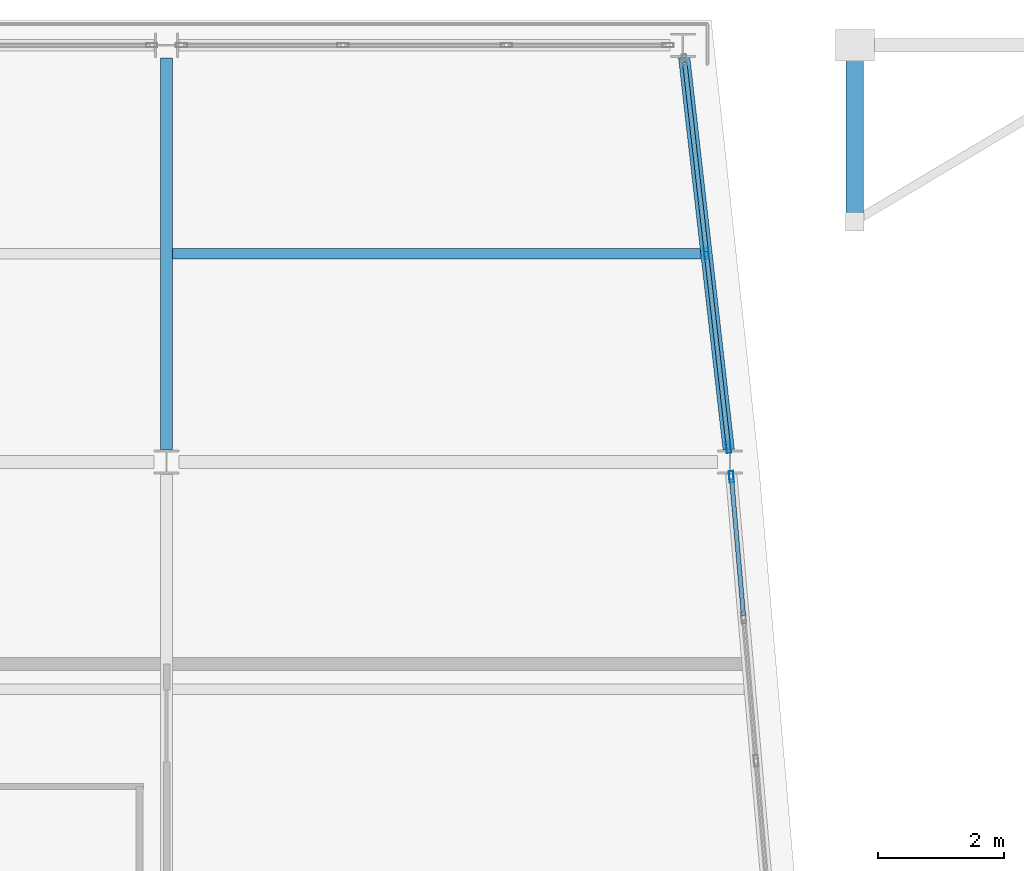
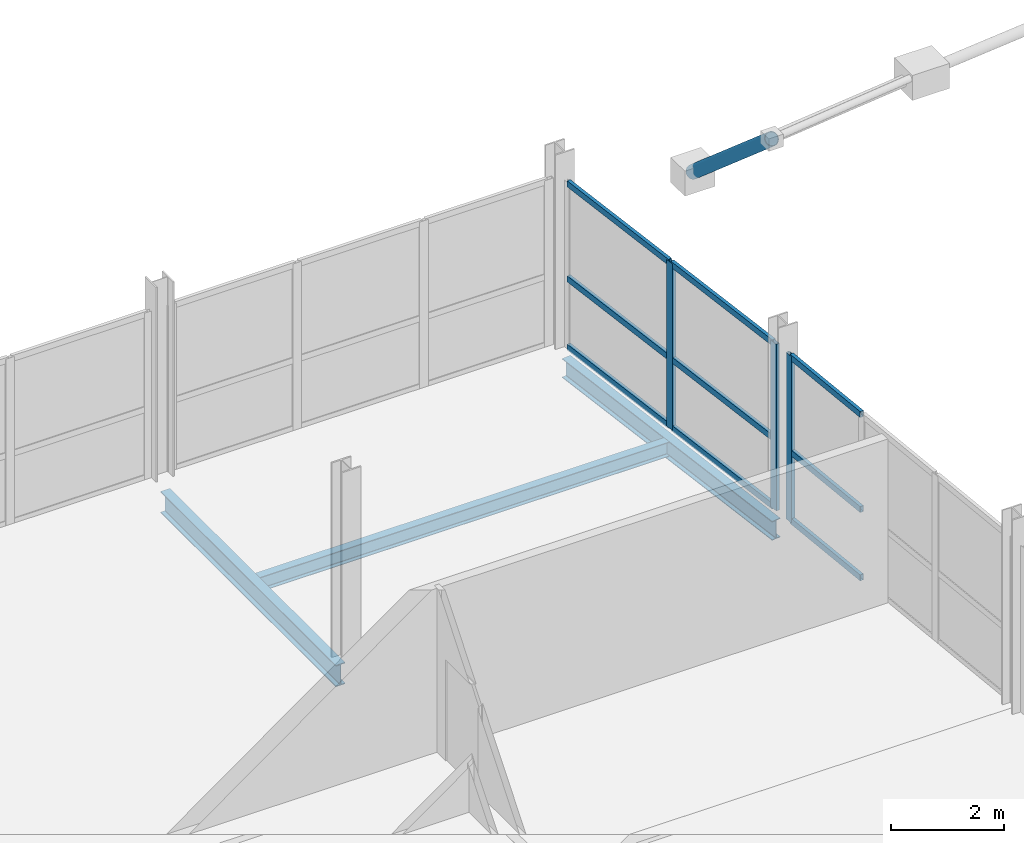
# One storey, part 32 of 60: 12 members, 4 beams, 2 elements without a shape of their own.
"""IFC4 building model written with IfcOpenShell, lengths in metres."""

from ifc_helpers import new_model, si_unit, direction, frame, origin, origin_2d, place, context, subcontext, project, spatial, hollow_rectangle, hollow_circle, i_section, extrude, material, layer, layer_set, material_profile, profile_set, type_object, element, aggregate, save


model = new_model("IFC4")

# Units and contexts
model_context = context("Model", 3, precision=1e-05, world=origin(), true_north=direction((0.0, 1.0)))
body_context = subcontext(model_context, "Body", "Model", "MODEL_VIEW")
ifc_project = project(units=[si_unit("LENGTHUNIT", "METRE"), si_unit("AREAUNIT", "SQUARE_METRE"), si_unit("VOLUMEUNIT", "CUBIC_METRE"), si_unit("PLANEANGLEUNIT", "RADIAN"), si_unit("MASSUNIT", "GRAM", prefix="KILO")], contexts=[model_context])

# Site, building, storey
site_placement = place(None, origin())
site = spatial("IfcSite", under=ifc_project, at=site_placement, CompositionType="ELEMENT")
building_placement = place(site_placement, origin())
building = spatial("IfcBuilding", under=site, at=building_placement, Name="Quillay Park Conservatory", CompositionType="ELEMENT")
storey_placement = place(building_placement, frame((0.0, 0.0, 9.89990234375)))
storey = spatial("IfcBuildingStorey", under=building, at=storey_placement, Name="L02", CompositionType="ELEMENT", Elevation=9.89990234375)

# Beam
ifc_material_1 = material(Name="Steel ASTM A992 Grade 50", Category="steel")
ifc_material_profile_1 = material_profile(ifc_material_1, i_section(OverallWidth=0.166015625, OverallDepth=0.31298828125, WebThickness=0.006591796875, FlangeThickness=0.01123046875, FilletRadius=0.010009765625, at=origin_2d()), Name="W310x45")
ifc_profile_set_1 = profile_set([ifc_material_profile_1], Name="Steel ASTM A992 Grade 50")
beam_type_1 = type_object("IfcBeamType", Name="COMPOSITE FLOOR JOIST W310 X45", PredefinedType="JOIST", material=ifc_profile_set_1)
beam_1_placement = place(storey_placement, frame((19.845947265625, 110.10009765625, -0.386474609375), z_axis=(1.0, 0.0, 0.0), x_axis=(0.0, 1.0, 0.0)))
element("IfcBeam", 1, at=beam_1_placement, inside=storey, type_object=beam_type_1, Name="L02 beam BM-J-0242", PredefinedType="JOIST", context=body_context, shape_type="SweptSolid", body=[
    extrude(i_section(OverallWidth=0.166015625, OverallDepth=0.31298828125, WebThickness=0.006591796875, FlangeThickness=0.01123046875, FilletRadius=0.010009765625, at=origin_2d()), origin(), (0.0, 0.0, 1.0), 8.364013671875),
])

# Curtain wall, member
ifc_material_2 = material(Name="Thermally Broken Anodised Aluminium 6063-T6", Category="aluminium")
ifc_layer = layer(ifc_material_2, 0.179931640625)
ifc_layer_set = layer_set([ifc_layer], Name="UNITISED CURTAIN WALL TOWER (Thermally Broken Anodised Aluminium 6063-T6)")
curtain_wall_type = type_object("IfcCurtainWallType", Name="UNITISED CURTAIN WALL TOWER", PredefinedType="USERDEFINED", material=ifc_layer_set)
curtain_wall_1_placement = place(storey_placement, origin())
curtain_wall_1 = element("IfcCurtainWall", 2, at=curtain_wall_1_placement, inside=storey, type_object=curtain_wall_type, Name="L02 Unitised Curtain Wall 023", ObjectType="UNITISED CURTAIN WALL", PredefinedType="USERDEFINED")
ifc_material_3 = material(Name="Thermally Broken Anodised Aluminium 6063-T6", Category="aluminium")
ifc_material_profile_2 = material_profile(ifc_material_3, hollow_rectangle(XDim=0.070068359375, YDim=0.179931640625, WallThickness=0.00390625, at=origin_2d()), Name="AL70x180x4")
ifc_profile_set_2 = profile_set([ifc_material_profile_2], Name="Thermally Broken Anodised Aluminium 6063-T6")
member_type_1 = type_object("IfcMemberType", Name="CURTAIN WALL MULLION 70 X180", PredefinedType="MULLION", material=ifc_profile_set_2)
member_1_placement = place(storey_placement, frame((28.6953125, 106.56591796875, 0.0), z_axis=(0.0, 0.0, 1.0), x_axis=(0.996253548413, 0.086480444465, 0.0)))
member_1 = element("IfcMember", 3, at=member_1_placement, type_object=member_type_1, Name="CW-T1 mullion 1", PredefinedType="MULLION", context=body_context, shape_type="SweptSolid", body=[
    extrude(hollow_rectangle(XDim=0.070068359375, YDim=0.179931640625, WallThickness=0.00390625, at=origin_2d()), origin(), (0.0, 0.0, 1.0), 3.59912109375),
])

# Curtain wall, members
curtain_wall_2_placement = place(storey_placement, origin())
curtain_wall_2 = element("IfcCurtainWall", 4, at=curtain_wall_2_placement, inside=storey, type_object=curtain_wall_type, Name="L02 Unitised Curtain Wall 024", ObjectType="UNITISED CURTAIN WALL", PredefinedType="USERDEFINED")
member_2_placement = place(storey_placement, frame((28.300048828125, 110.10009765625, 0.0), z_axis=(0.0, 0.0, 1.0), x_axis=(0.993605989969, 0.112903218278, 0.0)))
member_2 = element("IfcMember", 5, at=member_2_placement, type_object=member_type_1, Name="CW-T1 mullion 2", PredefinedType="MULLION", context=body_context, shape_type="SweptSolid", body=[
    extrude(hollow_rectangle(XDim=0.070068359375, YDim=0.179931640625, WallThickness=0.00390625, at=origin_2d()), origin(), (0.0, 0.0, 1.0), 3.59912109375),
])
member_3_placement = place(storey_placement, frame((28.6484375, 107.033447265625, 0.0), z_axis=(0.0, 0.0, 1.0), x_axis=(0.993605989969, 0.112903218278, 0.0)))
member_3 = element("IfcMember", 6, at=member_3_placement, type_object=member_type_1, Name="CW-T1 mullion 3", PredefinedType="MULLION", context=body_context, shape_type="SweptSolid", body=[
    extrude(hollow_rectangle(XDim=0.070068359375, YDim=0.179931640625, WallThickness=0.00390625, at=origin_2d()), origin(), (0.0, 0.0, 1.0), 3.59912109375),
])

# Member
ifc_material_4 = material(Name="Thermally Broken Anodised Aluminium 6063-T6", Category="aluminium")
ifc_material_profile_3 = material_profile(ifc_material_4, hollow_rectangle(XDim=0.070068359375, YDim=0.1298828125, WallThickness=0.003173828125, at=origin_2d()), Name="AL70x130x3.2")
ifc_profile_set_3 = profile_set([ifc_material_profile_3], Name="Thermally Broken Anodised Aluminium 6063-T6")
member_type_2 = type_object("IfcMemberType", Name="CURTAIN WALL TRANSOM 70 X130", PredefinedType="USERDEFINED", material=ifc_profile_set_3)
member_4_placement = place(storey_placement, frame((28.6982421875, 106.531005859375, 0.03515625), z_axis=(0.086488870651, -0.996252816936, 0.0), x_axis=(0.996252816936, 0.086488870651, 0.0)))
member_4 = element("IfcMember", 7, at=member_4_placement, type_object=member_type_2, Name="CW-T1 transom 1.1", ObjectType="TRANSOM", PredefinedType="USERDEFINED", context=body_context, shape_type="SweptSolid", body=[
    extrude(hollow_rectangle(XDim=0.070068359375, YDim=0.1298828125, WallThickness=0.003173828125, at=origin_2d()), origin(), (0.0, 0.0, 1.0), 2.170654296875),
])

member_5_placement = place(storey_placement, frame((28.6982421875, 106.531005859375, 1.51171875), z_axis=(0.086488870651, -0.996252816936, 0.0), x_axis=(0.996252816936, 0.086488870651, 0.0)))
member_5 = element("IfcMember", 8, at=member_5_placement, type_object=member_type_2, Name="CW-T1 transom 1.2", ObjectType="TRANSOM", PredefinedType="USERDEFINED", context=body_context, shape_type="SweptSolid", body=[
    extrude(hollow_rectangle(XDim=0.070068359375, YDim=0.1298828125, WallThickness=0.003173828125, at=origin_2d()), origin(), (0.0, 0.0, 1.0), 2.170654296875),
])

member_6_placement = place(storey_placement, frame((28.6982421875, 106.531005859375, 3.564208984375), z_axis=(0.086488870651, -0.996252816936, 0.0), x_axis=(0.996252816936, 0.086488870651, 0.0)))
member_6 = element("IfcMember", 9, at=member_6_placement, type_object=member_type_2, Name="CW-T1 transom 1.3", ObjectType="TRANSOM", PredefinedType="USERDEFINED", context=body_context, shape_type="SweptSolid", body=[
    extrude(hollow_rectangle(XDim=0.070068359375, YDim=0.1298828125, WallThickness=0.003173828125, at=origin_2d()), origin(), (0.0, 0.0, 1.0), 2.170654296875),
])

aggregate(curtain_wall_1, [member_1, member_4, member_5, member_6])

member_7_placement = place(storey_placement, frame((27.95556640625, 113.1318359375, 0.03515625), z_axis=(0.112909688044, -0.99360525479, 0.0), x_axis=(0.99360525479, 0.112909688044, 0.0)))
member_7 = element("IfcMember", 10, at=member_7_placement, type_object=member_type_2, Name="CW-T1 transom 1.1", ObjectType="TRANSOM", PredefinedType="USERDEFINED", context=body_context, shape_type="SweptSolid", body=[
    extrude(hollow_rectangle(XDim=0.070068359375, YDim=0.1298828125, WallThickness=0.003173828125, at=origin_2d()), origin(), (0.0, 0.0, 1.0), 3.016357421875),
])

member_8_placement = place(storey_placement, frame((27.95556640625, 113.1318359375, 1.51171875), z_axis=(0.112909688044, -0.99360525479, 0.0), x_axis=(0.99360525479, 0.112909688044, 0.0)))
member_8 = element("IfcMember", 11, at=member_8_placement, type_object=member_type_2, Name="CW-T1 transom 1.2", ObjectType="TRANSOM", PredefinedType="USERDEFINED", context=body_context, shape_type="SweptSolid", body=[
    extrude(hollow_rectangle(XDim=0.070068359375, YDim=0.1298828125, WallThickness=0.003173828125, at=origin_2d()), origin(), (0.0, 0.0, 1.0), 3.016357421875),
])

member_9_placement = place(storey_placement, frame((27.95556640625, 113.1318359375, 3.564208984375), z_axis=(0.112909688044, -0.99360525479, 0.0), x_axis=(0.99360525479, 0.112909688044, 0.0)))
member_9 = element("IfcMember", 12, at=member_9_placement, type_object=member_type_2, Name="CW-T1 transom 1.3", ObjectType="TRANSOM", PredefinedType="USERDEFINED", context=body_context, shape_type="SweptSolid", body=[
    extrude(hollow_rectangle(XDim=0.070068359375, YDim=0.1298828125, WallThickness=0.003173828125, at=origin_2d()), origin(), (0.0, 0.0, 1.0), 3.016357421875),
])

member_10_placement = place(storey_placement, frame((28.303955078125, 110.065185546875, 0.03515625), z_axis=(0.112918769109, -0.993604222808, 0.0), x_axis=(0.993604222808, 0.112918769109, 0.0)))
member_10 = element("IfcMember", 13, at=member_10_placement, type_object=member_type_2, Name="CW-T1 transom 2.1", ObjectType="TRANSOM", PredefinedType="USERDEFINED", context=body_context, shape_type="SweptSolid", body=[
    extrude(hollow_rectangle(XDim=0.070068359375, YDim=0.1298828125, WallThickness=0.003173828125, at=origin_2d()), origin(), (0.0, 0.0, 1.0), 3.01611328125),
])

member_11_placement = place(storey_placement, frame((28.303955078125, 110.065185546875, 1.51171875), z_axis=(0.112918769109, -0.993604222808, 0.0), x_axis=(0.993604222808, 0.112918769109, 0.0)))
member_11 = element("IfcMember", 14, at=member_11_placement, type_object=member_type_2, Name="CW-T1 transom 2.2", ObjectType="TRANSOM", PredefinedType="USERDEFINED", context=body_context, shape_type="SweptSolid", body=[
    extrude(hollow_rectangle(XDim=0.070068359375, YDim=0.1298828125, WallThickness=0.003173828125, at=origin_2d()), origin(), (0.0, 0.0, 1.0), 3.01611328125),
])

member_12_placement = place(storey_placement, frame((28.303955078125, 110.065185546875, 3.564208984375), z_axis=(0.112918769109, -0.993604222808, 0.0), x_axis=(0.993604222808, 0.112918769109, 0.0)))
member_12 = element("IfcMember", 15, at=member_12_placement, type_object=member_type_2, Name="CW-T1 transom 2.3", ObjectType="TRANSOM", PredefinedType="USERDEFINED", context=body_context, shape_type="SweptSolid", body=[
    extrude(hollow_rectangle(XDim=0.070068359375, YDim=0.1298828125, WallThickness=0.003173828125, at=origin_2d()), origin(), (0.0, 0.0, 1.0), 3.01611328125),
])

aggregate(curtain_wall_2, [member_2, member_3, member_7, member_8, member_9, member_10, member_11, member_12])

# Beams
ifc_material_5 = material(Name="Steel S355J2H", Category="steel")
ifc_material_profile_4 = material_profile(ifc_material_5, hollow_circle(Radius=0.136474609375, WallThickness=0.012451171875, at=origin_2d()), Name="CHS273x12.5")
ifc_profile_set_4 = profile_set([ifc_material_profile_4], Name="Steel S355J2H")
beam_type_2 = type_object("IfcBeamType", Name="GRIDSHELL ARCH BEAM CHS273", PredefinedType="USERDEFINED", material=ifc_profile_set_4)
beam_2_placement = place(storey_placement, frame((30.64990234375, 110.614990234375, 5.106689453125), z_axis=(0.0, 0.757200503095, -0.653182515162), x_axis=(-1.0, 0.0, 0.0)))
element("IfcBeam", 16, at=beam_2_placement, inside=storey, type_object=beam_type_2, Name="Gridshell member GS-ARCH-00-09", ObjectType="GRIDSHELL ARCH BEAM", PredefinedType="USERDEFINED", context=body_context, shape_type="SweptSolid", body=[
    extrude(hollow_circle(Radius=0.136474609375, WallThickness=0.012451171875, at=origin_2d()), origin(), (0.0, 0.0, 1.0), 3.677978515625),
])
ifc_material_6 = material(Name="Steel ASTM A992 Grade 50", Category="steel")
ifc_material_profile_5 = material_profile(ifc_material_6, i_section(OverallWidth=0.179931640625, OverallDepth=0.4130859375, WebThickness=0.009765625, FlangeThickness=0.01611328125, FilletRadius=0.011962890625, at=origin_2d()), Name="W410x74")
ifc_profile_set_5 = profile_set([ifc_material_profile_5], Name="Steel ASTM A992 Grade 50")
beam_type_3 = type_object("IfcBeamType", Name="PERIMETER SPANDREL BEAM W410 X74", PredefinedType="SPANDREL", material=ifc_profile_set_5)
beam_3_placement = place(storey_placement, frame((28.65283203125, 106.9951171875, -0.4365234375), z_axis=(-0.112896540354, 0.993606748757, 0.0), x_axis=(-0.993606748757, -0.112896540354, 0.0)))
element("IfcBeam", 17, at=beam_3_placement, inside=storey, type_object=beam_type_3, Name="L02 beam BM-SPE-0238", PredefinedType="SPANDREL", context=body_context, shape_type="SweptSolid", body=[
    extrude(i_section(OverallWidth=0.179931640625, OverallDepth=0.4130859375, WebThickness=0.009765625, FlangeThickness=0.01611328125, FilletRadius=0.011962890625, at=origin_2d()), origin(), (0.0, 0.0, 1.0), 6.249755859375),
])
ifc_material_7 = material(Name="Steel ASTM A992 Grade 50", Category="steel")
ifc_material_profile_6 = material_profile(ifc_material_7, i_section(OverallWidth=0.19189453125, OverallDepth=0.462890625, WebThickness=0.010498046875, FlangeThickness=0.017578125, FilletRadius=0.012939453125, at=origin_2d()), Name="W460x89")
ifc_profile_set_6 = profile_set([ifc_material_profile_6], Name="Steel ASTM A992 Grade 50")
beam_type_4 = type_object("IfcBeamType", Name="PRIMARY FLOOR GIRDER W460 X89", PredefinedType="BEAM", material=ifc_profile_set_6)
beam_4_placement = place(storey_placement, frame((19.75, 106.99658203125, -0.46142578125), z_axis=(0.0, 1.0, 0.0), x_axis=(-1.0, 0.0, 0.0)))
element("IfcBeam", 18, at=beam_4_placement, inside=storey, type_object=beam_type_4, Name="L02 beam BM-GNS-0240", PredefinedType="BEAM", context=body_context, shape_type="SweptSolid", body=[
    extrude(i_section(OverallWidth=0.19189453125, OverallDepth=0.462890625, WebThickness=0.010498046875, FlangeThickness=0.017578125, FilletRadius=0.012939453125, at=origin_2d()), origin(), (0.0, 0.0, 1.0), 6.203857421875),
])

save(model, "model.ifc")
